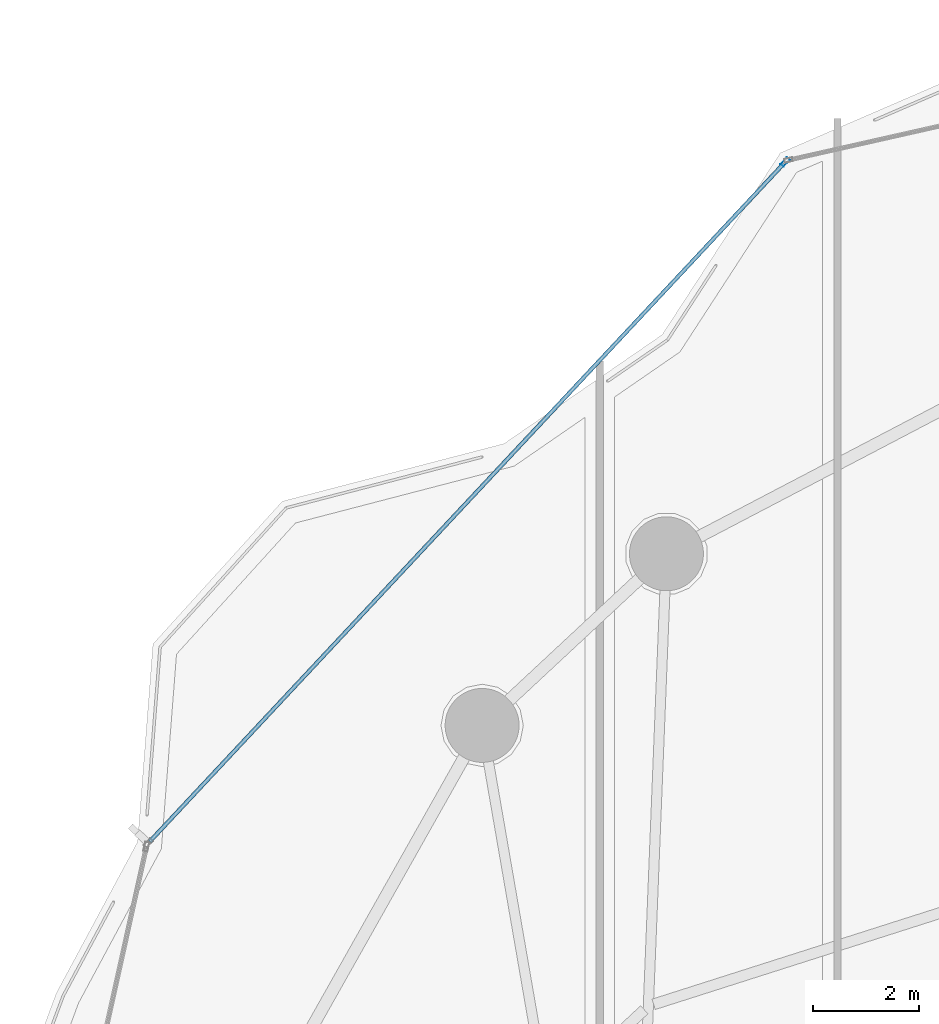
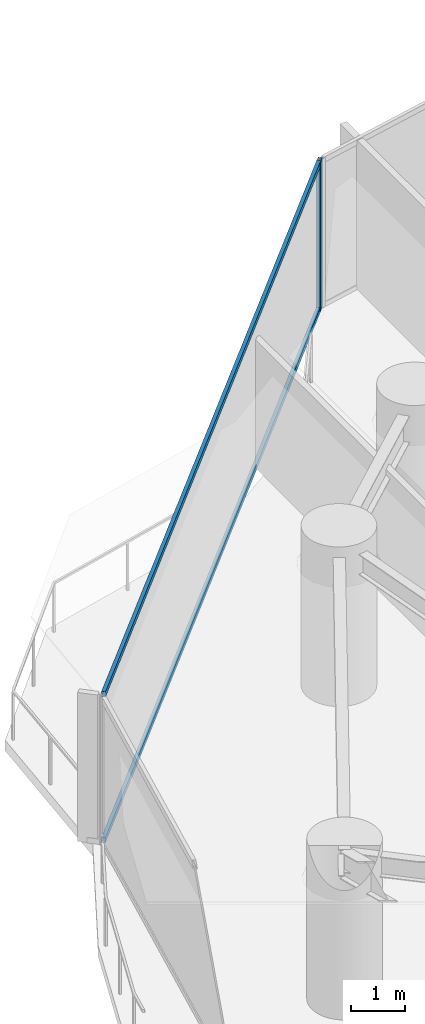
# One storey, part 16 of 33: 3 members, 1 element without a shape of its own.
"""IFC4 building model written with IfcOpenShell, lengths in metres."""

from ifc_helpers import new_model, si_unit, direction, frame, origin, origin_2d, place, context, subcontext, project, spatial, hollow_rectangle, extrude, material, layer, layer_set, material_profile, profile_set, type_object, element, aggregate, save


model = new_model("IFC4")

# Units and contexts
model_context = context("Model", 3, precision=1e-05, world=origin(), true_north=direction((0.0, 1.0)))
body_context = subcontext(model_context, "Body", "Model", "MODEL_VIEW")
ifc_project = project(units=[si_unit("LENGTHUNIT", "METRE"), si_unit("AREAUNIT", "SQUARE_METRE"), si_unit("VOLUMEUNIT", "CUBIC_METRE"), si_unit("PLANEANGLEUNIT", "RADIAN"), si_unit("MASSUNIT", "GRAM", prefix="KILO")], contexts=[model_context])

# Site, building, storey
site_placement = place(None, origin())
site = spatial("IfcSite", under=ifc_project, at=site_placement, CompositionType="ELEMENT")
building_placement = place(site_placement, origin())
building = spatial("IfcBuilding", under=site, at=building_placement, Name="Kazevale Care Tower and Concert Hall", CompositionType="ELEMENT")
storey_placement = place(building_placement, frame((0.0, 0.0, 52.800048828125)))
storey = spatial("IfcBuildingStorey", under=building, at=storey_placement, Name="L13", CompositionType="ELEMENT", Elevation=52.800048828125)

# Curtain wall, members
ifc_material_1 = material(Name="Aluminium 6063-T6 and Low-E Glass", Category="aluminium")
ifc_layer = layer(ifc_material_1, 0.179931640625)
ifc_layer_set = layer_set([ifc_layer], Name="Aluminium 6063-T6 and Low-E Glass")
curtain_wall_type = type_object("IfcCurtainWallType", Name="Convex Checkerboard Finned Curtain Wall CW-2", PredefinedType="NOTDEFINED", material=ifc_layer_set)
curtain_wall_placement = place(storey_placement, origin())
curtain_wall = element("IfcCurtainWall", 1, at=curtain_wall_placement, inside=storey, type_object=curtain_wall_type, Name="cw:L13:f14", PredefinedType="NOTDEFINED")
ifc_material_2 = material(Name="Aluminium 6063-T6", Category="aluminium")
ifc_material_profile_1 = material_profile(ifc_material_2, hollow_rectangle(XDim=0.080078125, YDim=0.179931640625, WallThickness=0.0048828125, at=origin_2d()), Name="ALU80x180x5")
ifc_profile_set_1 = profile_set([ifc_material_profile_1], Name="Aluminium 6063-T6")
member_type_1 = type_object("IfcMemberType", Name="CW-2 Mullion ALU80x180x5", PredefinedType="MULLION", material=ifc_profile_set_1)
member_1_placement = place(storey_placement, frame((25.009765625, 62.847900390625, 0.0), z_axis=(0.0, 0.0, 1.0), x_axis=(-0.730363049987, 0.683059159381, 0.0)))
member_1 = element("IfcMember", 2, at=member_1_placement, type_object=member_type_1, Name="CW-2 mullion 2", PredefinedType="MULLION", context=body_context, shape_type="SweptSolid", body=[
    extrude(hollow_rectangle(XDim=0.080078125, YDim=0.179931640625, WallThickness=0.0048828125, at=origin_2d()), origin(), (0.0, 0.0, 1.0), 3.35986328125),
])
ifc_material_profile_2 = material_profile(ifc_material_2, hollow_rectangle(XDim=0.074951171875, YDim=0.1201171875, WallThickness=0.00390625, at=origin_2d()), Name="ALU75x120x4")
ifc_profile_set_2 = profile_set([ifc_material_profile_2], Name="Aluminium 6063-T6")
member_type_2 = type_object("IfcMemberType", Name="CW-2 Transom ALU75x120x4", PredefinedType="USERDEFINED", material=ifc_profile_set_2)
member_2_placement = place(storey_placement, frame((12.9765625, 49.9814453125, 0.037353515625), z_axis=(0.68306321414, 0.730359257823, 0.0), x_axis=(-0.730359257823, 0.68306321414, 0.0)))
member_2 = element("IfcMember", 3, at=member_2_placement, type_object=member_type_2, Name="CW-2 transom 1.1", ObjectType="TRANSOM", PredefinedType="USERDEFINED", context=body_context, shape_type="SweptSolid", body=[
    extrude(hollow_rectangle(XDim=0.074951171875, YDim=0.1201171875, WallThickness=0.00390625, at=origin_2d()), origin(), (0.0, 0.0, 1.0), 17.576416015625),
])
member_3_placement = place(storey_placement, frame((12.9765625, 49.9814453125, 3.322509765625), z_axis=(0.68306321414, 0.730359257823, 0.0), x_axis=(-0.730359257823, 0.68306321414, 0.0)))
member_3 = element("IfcMember", 4, at=member_3_placement, type_object=member_type_2, Name="CW-2 transom 1.2", ObjectType="TRANSOM", PredefinedType="USERDEFINED", context=body_context, shape_type="SweptSolid", body=[
    extrude(hollow_rectangle(XDim=0.074951171875, YDim=0.1201171875, WallThickness=0.00390625, at=origin_2d()), origin(), (0.0, 0.0, 1.0), 17.576416015625),
])
aggregate(curtain_wall, [member_1, member_2, member_3])

save(model, "model.ifc")
